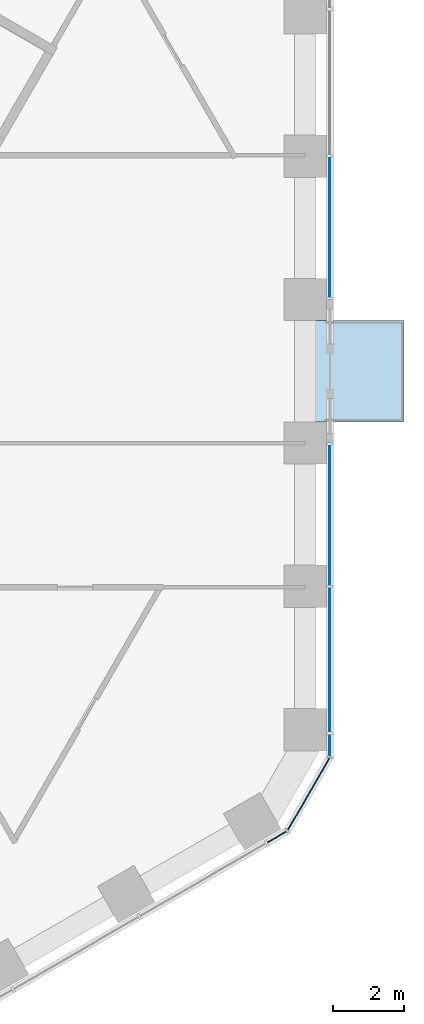
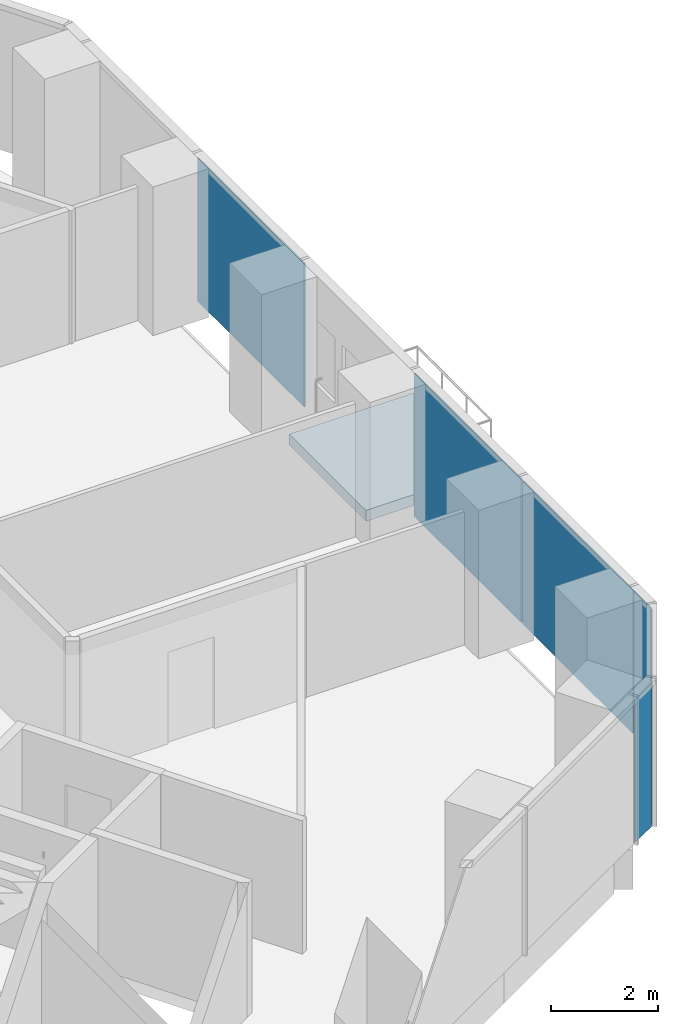
# One storey, part 11 of 20: 6 plates, 1 slab, 3 elements without a shape of their own.
"""IFC4 building model written with IfcOpenShell, lengths in metres."""

from ifc_helpers import new_model, si_unit, direction, frame, origin, origin_2d, place, context, subcontext, project, spatial, polyline, rectangle, outline, extrude, material, layer, layer_set, type_object, element, aggregate, save


model = new_model("IFC4")

# Units and contexts
model_context = context("Model", 3, precision=1e-05, world=origin(), true_north=direction((0.0, 1.0)))
body_context = subcontext(model_context, "Body", "Model", "MODEL_VIEW")
ifc_project = project(units=[si_unit("LENGTHUNIT", "METRE"), si_unit("AREAUNIT", "SQUARE_METRE"), si_unit("VOLUMEUNIT", "CUBIC_METRE"), si_unit("PLANEANGLEUNIT", "RADIAN"), si_unit("MASSUNIT", "GRAM", prefix="KILO")], contexts=[model_context])

# Site, building, storey
site_placement = place(None, origin())
site = spatial("IfcSite", under=ifc_project, at=site_placement, CompositionType="ELEMENT")
building_placement = place(site_placement, origin())
building = spatial("IfcBuilding", under=site, at=building_placement, Name="Ayvan Gate Tower", CompositionType="ELEMENT")
storey_placement = place(building_placement, frame((0.0, 0.0, 28.89990234375)))
storey = spatial("IfcBuildingStorey", under=building, at=storey_placement, Name="L06", CompositionType="ELEMENT", Elevation=28.89990234375)

# Slab
ifc_material_1 = material(Name="Concrete C40/50", Category="concrete")
ifc_layer_1 = layer(ifc_material_1, 0.25)
ifc_layer_set_1 = layer_set([ifc_layer_1], Name="Concrete C40/50")
slab_type = type_object("IfcSlabType", Name="Balcony slab 250", PredefinedType="FLOOR", material=ifc_layer_set_1)
slab_placement = place(storey_placement, frame((0.0, 0.0, -0.25)))
element("IfcSlab", 1, at=slab_placement, inside=storey, type_object=slab_type, Name="Balcony slab BAL-L06-0", PredefinedType="FLOOR", context=body_context, shape_type="SweptSolid", body=[
    extrude(outline(polyline([(20.78466796875, -1.43994140625), (20.78466796875, 1.43994140625), (23.584716796875, 1.43994140625), (23.584716796875, -1.43994140625), (20.78466796875, -1.43994140625)])), origin(), (0.0, 0.0, 1.0), 0.25),
])

# Curtain wall, plates
ifc_material_2 = material(Name="Bronze anodised aluminium", Category="aluminium")
ifc_layer_2 = layer(ifc_material_2, 0.199951171875)
ifc_layer_set_2 = layer_set([ifc_layer_2], Name="Bronze anodised aluminium")
curtain_wall_type_1 = type_object("IfcCurtainWallType", Name="Stick curtain wall CW-1", PredefinedType="NOTDEFINED", material=ifc_layer_set_2)
curtain_wall_1_placement = place(storey_placement, origin())
curtain_wall_1 = element("IfcCurtainWall", 2, at=curtain_wall_1_placement, inside=storey, type_object=curtain_wall_type_1, Name="Stick curtain wall CW-1 L06", PredefinedType="NOTDEFINED")
ifc_material_3 = material(Name="Clear low-iron laminated glass", Category="glass")
ifc_layer_3 = layer(ifc_material_3, 0.028076171875)
ifc_layer_set_3 = layer_set([ifc_layer_3], Name="Clear low-iron laminated glass")
plate_type_1 = type_object("IfcPlateType", Name="Stick curtain wall CW-1 glass panel", PredefinedType="CURTAIN_PANEL", material=ifc_layer_set_3)
plate_1_placement = place(storey_placement, frame((21.484619140625, -8.195556640625, 0.0), z_axis=(0.0, 0.0, 1.0), x_axis=(0.0, 1.0, 0.0)))
plate_1 = element("IfcPlate", 3, at=plate_1_placement, type_object=plate_type_1, Name="CW-1 glass panel 1", PredefinedType="CURTAIN_PANEL", context=body_context, shape_type="SweptSolid", body=[
    extrude(rectangle(XDim=4.132080078125, YDim=0.028076171875, at=origin_2d()), origin(), (0.0, 0.0, 1.0), 3.280029296875),
])
plate_2_placement = place(storey_placement, frame((21.484619140625, -4.066162109375, 0.0), z_axis=(0.0, 0.0, 1.0), x_axis=(0.0, 1.0, 0.0)))
plate_2 = element("IfcPlate", 4, at=plate_2_placement, type_object=plate_type_1, Name="CW-1 glass panel 2", PredefinedType="CURTAIN_PANEL", context=body_context, shape_type="SweptSolid", body=[
    extrude(rectangle(XDim=4.007080078125, YDim=0.028076171875, at=origin_2d()), origin(), (0.0, 0.0, 1.0), 3.280029296875),
])
aggregate(curtain_wall_1, [plate_1, plate_2])

# Curtain wall, plate
curtain_wall_2_placement = place(storey_placement, origin())
curtain_wall_2 = element("IfcCurtainWall", 5, at=curtain_wall_2_placement, inside=storey, type_object=curtain_wall_type_1, Name="Stick curtain wall CW-1 L06", PredefinedType="NOTDEFINED")
plate_3_placement = place(storey_placement, frame((21.484619140625, 4.06640625, 0.0), z_axis=(0.0, 0.0, 1.0), x_axis=(0.0, 1.0, 0.0)))
plate_3 = element("IfcPlate", 6, at=plate_3_placement, type_object=plate_type_1, Name="CW-1 glass panel 1", PredefinedType="CURTAIN_PANEL", context=body_context, shape_type="SweptSolid", body=[
    extrude(rectangle(XDim=4.006103515625, YDim=0.028076171875, at=origin_2d()), origin(), (0.0, 0.0, 1.0), 3.280029296875),
])
aggregate(curtain_wall_2, [plate_3])

# Curtain wall, plates
ifc_layer_4 = layer(ifc_material_2, 0.199951171875)
ifc_layer_set_4 = layer_set([ifc_layer_4], Name="Bronze anodised aluminium")
curtain_wall_type_2 = type_object("IfcCurtainWallType", Name="Stick curtain wall CW-6", PredefinedType="NOTDEFINED", material=ifc_layer_set_4)
curtain_wall_3_placement = place(storey_placement, origin())
curtain_wall_3 = element("IfcCurtainWall", 7, at=curtain_wall_3_placement, inside=storey, type_object=curtain_wall_type_2, Name="Stick curtain wall CW-6 L06", PredefinedType="NOTDEFINED")
ifc_layer_5 = layer(ifc_material_3, 0.028076171875)
ifc_layer_set_5 = layer_set([ifc_layer_5], Name="Clear low-iron laminated glass")
plate_type_2 = type_object("IfcPlateType", Name="Stick curtain wall CW-6 glass panel", PredefinedType="CURTAIN_PANEL", material=ifc_layer_set_5)
plate_4_placement = place(storey_placement, frame((19.985107421875, -13.201416015625, 0.0), z_axis=(0.0, 0.0, 1.0), x_axis=(0.866025403784, 0.5, 0.0)))
plate_4 = element("IfcPlate", 8, at=plate_4_placement, type_object=plate_type_2, Name="CW-6 glass panel 1", PredefinedType="CURTAIN_PANEL", context=body_context, shape_type="SweptSolid", body=[
    extrude(rectangle(XDim=0.625, YDim=0.028076171875, at=origin_2d()), origin(), (0.0, 0.0, 1.0), 3.280029296875),
])
plate_5_placement = place(storey_placement, frame((20.880859375, -11.987060546875, 0.0), z_axis=(0.0, 0.0, 1.0), x_axis=(0.5, 0.866025403784, 0.0)))
plate_5 = element("IfcPlate", 9, at=plate_5_placement, type_object=plate_type_2, Name="CW-6 glass panel 2", PredefinedType="CURTAIN_PANEL", context=body_context, shape_type="SweptSolid", body=[
    extrude(rectangle(XDim=2.364501953125, YDim=0.028076171875, at=origin_2d()), origin(), (0.0, 0.0, 1.0), 3.280029296875),
])
plate_6_placement = place(storey_placement, frame((21.484619140625, -10.60400390625, 0.0), z_axis=(0.0, 0.0, 1.0), x_axis=(0.0, 1.0, 0.0)))
plate_6 = element("IfcPlate", 10, at=plate_6_placement, type_object=plate_type_2, Name="CW-6 glass panel 3", PredefinedType="CURTAIN_PANEL", context=body_context, shape_type="SweptSolid", body=[
    extrude(rectangle(XDim=0.625, YDim=0.028076171875, at=origin_2d()), origin(), (0.0, 0.0, 1.0), 3.280029296875),
])
aggregate(curtain_wall_3, [plate_4, plate_5, plate_6])

save(model, "model.ifc")
